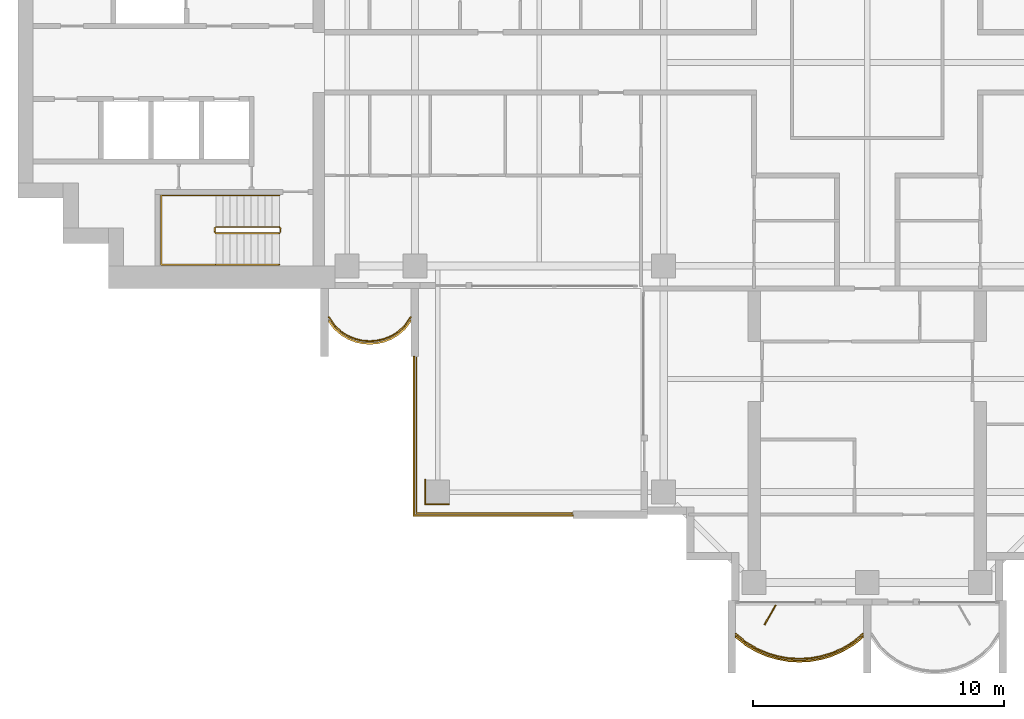
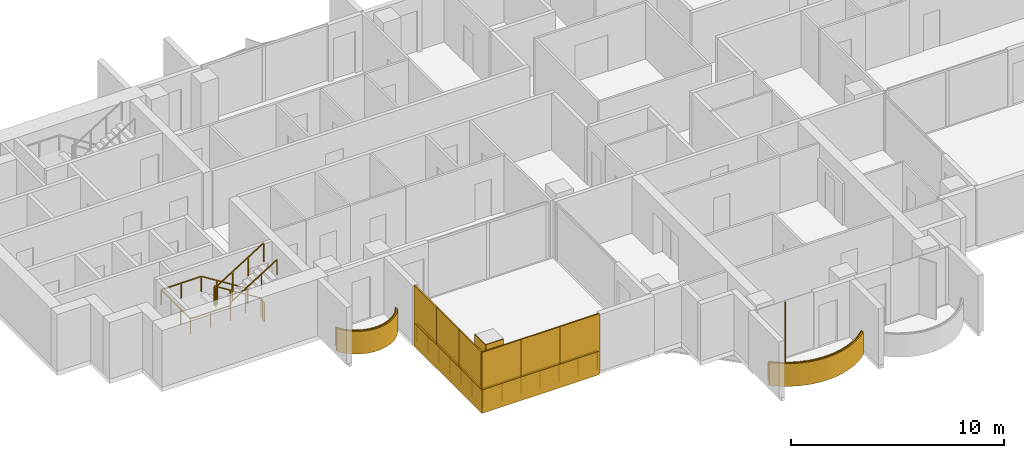
# One storey, part 14 of 17: 11 coverings, 5 railings, 1 shading device.
"""IFC4 building model written with IfcOpenShell, lengths in metres."""

from ifc_helpers import new_model, si_unit, direction, frame, origin, origin_2d, place, context, subcontext, project, spatial, polyline, rectangle, outline, extrude, material, layer, layer_set, type_object, element, save


model = new_model("IFC4")

# Units and contexts
model_context = context("Model", 3, precision=1e-05, world=origin(), true_north=direction((0.0, 1.0)))
body_context = subcontext(model_context, "Body", "Model", "MODEL_VIEW")
ifc_project = project(units=[si_unit("LENGTHUNIT", "METRE"), si_unit("AREAUNIT", "SQUARE_METRE"), si_unit("VOLUMEUNIT", "CUBIC_METRE"), si_unit("PLANEANGLEUNIT", "RADIAN"), si_unit("MASSUNIT", "GRAM", prefix="KILO")], contexts=[model_context])

# Site, building, storey
site_placement = place(None, origin())
site = spatial("IfcSite", under=ifc_project, at=site_placement, CompositionType="ELEMENT")
building_placement = place(site_placement, origin())
building = spatial("IfcBuilding", under=site, at=building_placement, Name="Perihelion Cross Residences", CompositionType="ELEMENT")
storey_placement = place(building_placement, frame((0.0, 0.0, 194.60009765625)))
storey = spatial("IfcBuildingStorey", under=building, at=storey_placement, Name="L48", CompositionType="ELEMENT", Elevation=194.60009765625)

# Coverings
ifc_material_1 = material(Name="Bronze anodised aluminium", Category="aluminium")
ifc_layer_1 = layer(ifc_material_1, 0.070068359375)
ifc_layer_set_1 = layer_set([ifc_layer_1], Name="Balcony fascia 1300")
covering_type_1 = type_object("IfcCoveringType", Name="Balcony fascia 1300", PredefinedType="CLADDING", material=ifc_layer_set_1)
covering_1_placement = place(storey_placement, frame((0.0, 0.0, -0.2001953125)))
element("IfcCovering", 1, at=covering_1_placement, inside=storey, type_object=covering_type_1, Name="Fascia BF1 L48 west side south bay 1", PredefinedType="CLADDING", context=body_context, shape_type="SweptSolid", body=[
    extrude(outline(polyline([(-21.226318359375, -10.616455078125), (-20.94091796875, -10.86328125), (-20.655517578125, -11.031494140625), (-20.370361328125, -11.142578125), (-20.085205078125, -11.206298828125), (-19.800048828125, -11.22705078125), (-19.514892578125, -11.206298828125), (-19.229736328125, -11.142578125), (-18.9443359375, -11.031494140625), (-18.6591796875, -10.86328125), (-18.373779296875, -10.616455078125), (-18.14990234375, -10.31689453125), (-18.14990234375, -10.199951171875), (-18.425048828125, -10.568603515625), (-18.699951171875, -10.806396484375), (-18.97509765625, -10.96875), (-19.25, -11.07568359375), (-19.52490234375, -11.136962890625), (-19.800048828125, -11.156982421875), (-20.074951171875, -11.136962890625), (-20.35009765625, -11.07568359375), (-20.625, -10.96875), (-20.89990234375, -10.806396484375), (-21.175048828125, -10.568603515625), (-21.449951171875, -10.199951171875), (-21.449951171875, -10.31689453125), (-21.226318359375, -10.616455078125)])), origin(), (0.0, 0.0, 1.0), 1.300048828125),
])
covering_2_placement = place(storey_placement, frame((0.0, 0.0, -0.2001953125)))
element("IfcCovering", 2, at=covering_2_placement, inside=storey, type_object=covering_type_1, Name="Fascia BF1 L48 south tip south bay 1", PredefinedType="CLADDING", context=body_context, shape_type="SweptSolid", body=[
    extrude(outline(polyline([(-4.86474609375, -23.197509765625), (-4.431884765625, -23.455078125), (-3.998779296875, -23.642578125), (-3.56591796875, -23.7705078125), (-3.133056640625, -23.845458984375), (-2.699951171875, -23.8701171875), (-2.26708984375, -23.845458984375), (-1.833984375, -23.7705078125), (-1.401123046875, -23.642578125), (-0.96826171875, -23.455078125), (-0.53515625, -23.197509765625), (-0.14990234375, -22.8896484375), (-0.14990234375, -22.800048828125), (-0.574951171875, -23.14013671875), (-1.0, -23.392578125), (-1.425048828125, -23.57666015625), (-1.85009765625, -23.702392578125), (-2.27490234375, -23.77587890625), (-2.699951171875, -23.800048828125), (-3.125, -23.77587890625), (-3.550048828125, -23.702392578125), (-3.97509765625, -23.57666015625), (-4.39990234375, -23.392578125), (-4.824951171875, -23.14013671875), (-5.25, -22.800048828125), (-5.25, -22.8896484375), (-4.86474609375, -23.197509765625)])), origin(), (0.0, 0.0, 1.0), 1.300048828125),
])

# Railings
ifc_material_2 = material(Name="Bronze anodised aluminium", Category="aluminium")
railing_type_1 = type_object("IfcRailingType", Name="Balcony guard 1100", PredefinedType="GUARDRAIL", material=ifc_material_2)
railing_1_placement = place(storey_placement, frame((-21.425048828125, -10.139892578125, 0.0)))
element("IfcRailing", 3, at=railing_1_placement, inside=storey, type_object=railing_type_1, Name="Guard GU1 L48 west side south bay 1 balcony", PredefinedType="GUARDRAIL", context=body_context, shape_type="SweptSolid", body=[
    extrude(rectangle(XDim=0.048095703125, YDim=0.048095703125, at=origin_2d()), frame((0.0, 0.0, 1.076171875), z_axis=(0.561260132269, -0.827639452857, 0.0), x_axis=(0.827639452857, 0.561260132269, 0.0)), (0.0, 0.0, 1.0), 0.4453125),
    extrude(rectangle(XDim=0.048095703125, YDim=0.048095703125, at=origin_2d()), frame((0.25, -0.36865234375, 1.076171875), z_axis=(0.756596535164, -0.653882009982, 0.0), x_axis=(0.653882009982, 0.756596535164, 0.0)), (0.0, 0.0, 1.0), 0.36376953125),
    extrude(rectangle(XDim=0.048095703125, YDim=0.048095703125, at=origin_2d()), frame((0.525146484375, -0.6064453125, 1.076171875), z_axis=(0.861048292884, -0.508523192511, 0.0), x_axis=(0.508523192511, 0.861048292884, 0.0)), (0.0, 0.0, 1.0), 0.3193359375),
    extrude(rectangle(XDim=0.048095703125, YDim=0.048095703125, at=origin_2d()), frame((0.800048828125, -0.768798828125, 1.076171875), z_axis=(0.931973602183, -0.362526143656, 0.0), x_axis=(0.362526143656, 0.931973602183, 0.0)), (0.0, 0.0, 1.0), 0.294921875),
    extrude(rectangle(XDim=0.048095703125, YDim=0.048095703125, at=origin_2d()), frame((1.074951171875, -0.875732421875, 1.076171875), z_axis=(0.976085059389, -0.21738895289, 0.0), x_axis=(0.21738895289, 0.976085059389, 0.0)), (0.0, 0.0, 1.0), 0.281982421875),
    extrude(rectangle(XDim=0.048095703125, YDim=0.048095703125, at=origin_2d()), frame((1.35009765625, -0.93701171875, 1.076171875), z_axis=(0.997358821833, -0.072631814734, 0.0), x_axis=(0.072631814734, 0.997358821833, 0.0)), (0.0, 0.0, 1.0), 0.275634765625),
    extrude(rectangle(XDim=0.048095703125, YDim=0.048095703125, at=origin_2d()), frame((1.625, -0.95703125, 1.076171875), z_axis=(0.997363488337, 0.072567707226, 0.0), x_axis=(-0.072567707226, 0.997363488337, 0.0)), (0.0, 0.0, 1.0), 0.27587890625),
    extrude(rectangle(XDim=0.048095703125, YDim=0.048095703125, at=origin_2d()), frame((1.900146484375, -0.93701171875, 1.076171875), z_axis=(0.976044077717, 0.217572880557, 0.0), x_axis=(-0.217572880557, 0.976044077717, 0.0)), (0.0, 0.0, 1.0), 0.28173828125),
    extrude(rectangle(XDim=0.048095703125, YDim=0.048095703125, at=origin_2d()), frame((2.175048828125, -0.875732421875, 1.076171875), z_axis=(0.931973602183, 0.362526143656, 0.0), x_axis=(-0.362526143656, 0.931973602183, 0.0)), (0.0, 0.0, 1.0), 0.294921875),
    extrude(rectangle(XDim=0.048095703125, YDim=0.048095703125, at=origin_2d()), frame((2.449951171875, -0.768798828125, 1.076171875), z_axis=(0.861245845072, 0.508188542123, 0.0), x_axis=(-0.508188542123, 0.861245845072, 0.0)), (0.0, 0.0, 1.0), 0.319580078125),
    extrude(rectangle(XDim=0.048095703125, YDim=0.048095703125, at=origin_2d()), frame((2.72509765625, -0.6064453125, 1.076171875), z_axis=(0.756309278473, 0.654214242658, 0.0), x_axis=(-0.654214242658, 0.756309278473, 0.0)), (0.0, 0.0, 1.0), 0.363525390625),
    extrude(rectangle(XDim=0.048095703125, YDim=0.048095703125, at=origin_2d()), frame((3.0, -0.36865234375, 1.076171875), z_axis=(0.561260132269, 0.827639452857, 0.0), x_axis=(-0.827639452857, 0.561260132269, 0.0)), (0.0, 0.0, 1.0), 0.4453125),
    extrude(rectangle(XDim=0.0419921875, YDim=0.0419921875, at=origin_2d()), origin(), (0.0, 0.0, 1.0), 1.052001953125),
    extrude(rectangle(XDim=0.0419921875, YDim=0.0419921875, at=origin_2d()), frame((0.25, -0.36865234375, 0.0)), (0.0, 0.0, 1.0), 1.052001953125),
    extrude(rectangle(XDim=0.0419921875, YDim=0.0419921875, at=origin_2d()), frame((0.525146484375, -0.6064453125, 0.0)), (0.0, 0.0, 1.0), 1.052001953125),
    extrude(rectangle(XDim=0.0419921875, YDim=0.0419921875, at=origin_2d()), frame((0.800048828125, -0.768798828125, 0.0)), (0.0, 0.0, 1.0), 1.052001953125),
    extrude(rectangle(XDim=0.0419921875, YDim=0.0419921875, at=origin_2d()), frame((1.074951171875, -0.875732421875, 0.0)), (0.0, 0.0, 1.0), 1.052001953125),
    extrude(rectangle(XDim=0.0419921875, YDim=0.0419921875, at=origin_2d()), frame((1.35009765625, -0.93701171875, 0.0)), (0.0, 0.0, 1.0), 1.052001953125),
    extrude(rectangle(XDim=0.0419921875, YDim=0.0419921875, at=origin_2d()), frame((1.625, -0.95703125, 0.0)), (0.0, 0.0, 1.0), 1.052001953125),
    extrude(rectangle(XDim=0.0419921875, YDim=0.0419921875, at=origin_2d()), frame((1.900146484375, -0.93701171875, 0.0)), (0.0, 0.0, 1.0), 1.052001953125),
    extrude(rectangle(XDim=0.0419921875, YDim=0.0419921875, at=origin_2d()), frame((2.175048828125, -0.875732421875, 0.0)), (0.0, 0.0, 1.0), 1.052001953125),
    extrude(rectangle(XDim=0.0419921875, YDim=0.0419921875, at=origin_2d()), frame((2.449951171875, -0.768798828125, 0.0)), (0.0, 0.0, 1.0), 1.052001953125),
    extrude(rectangle(XDim=0.0419921875, YDim=0.0419921875, at=origin_2d()), frame((2.72509765625, -0.6064453125, 0.0)), (0.0, 0.0, 1.0), 1.052001953125),
    extrude(rectangle(XDim=0.0419921875, YDim=0.0419921875, at=origin_2d()), frame((3.0, -0.36865234375, 0.0)), (0.0, 0.0, 1.0), 1.052001953125),
    extrude(rectangle(XDim=0.0419921875, YDim=0.0419921875, at=origin_2d()), frame((3.25, 0.0, 0.0)), (0.0, 0.0, 1.0), 1.052001953125),
])
railing_2_placement = place(storey_placement, frame((-5.22509765625, -22.739990234375, 0.0)))
element("IfcRailing", 4, at=railing_2_placement, inside=storey, type_object=railing_type_1, Name="Guard GU1 L48 south tip south bay 1 balcony", PredefinedType="GUARDRAIL", context=body_context, shape_type="SweptSolid", body=[
    extrude(rectangle(XDim=0.048095703125, YDim=0.048095703125, at=origin_2d()), frame((0.0, 0.0, 1.076171875), z_axis=(0.761973728849, -0.647607934281, 0.0), x_axis=(0.647607934281, 0.761973728849, 0.0)), (0.0, 0.0, 1.0), 0.525146484375),
    extrude(rectangle(XDim=0.048095703125, YDim=0.048095703125, at=origin_2d()), frame((0.400146484375, -0.340087890625, 1.076171875), z_axis=(0.859576918062, -0.511006381501, 0.0), x_axis=(0.511006381501, 0.859576918062, 0.0)), (0.0, 0.0, 1.0), 0.494384765625),
    extrude(rectangle(XDim=0.048095703125, YDim=0.048095703125, at=origin_2d()), frame((0.8251953125, -0.5927734375, 1.076171875), z_axis=(0.917747942671, -0.397163333811, 0.0), x_axis=(0.397163333811, 0.917747942671, 0.0)), (0.0, 0.0, 1.0), 0.462890625),
    extrude(rectangle(XDim=0.048095703125, YDim=0.048095703125, at=origin_2d()), frame((1.25, -0.776611328125, 1.076171875), z_axis=(0.958925815697, -0.283656975924, 0.0), x_axis=(0.283656975924, 0.958925815697, 0.0)), (0.0, 0.0, 1.0), 0.443359375),
    extrude(rectangle(XDim=0.048095703125, YDim=0.048095703125, at=origin_2d()), frame((1.675048828125, -0.90234375, 1.076171875), z_axis=(0.985381583142, -0.17036177859, 0.0), x_axis=(0.17036177859, 0.985381583142, 0.0)), (0.0, 0.0, 1.0), 0.431396484375),
    extrude(rectangle(XDim=0.048095703125, YDim=0.048095703125, at=origin_2d()), frame((2.10009765625, -0.975830078125, 1.076171875), z_axis=(0.998387160354, -0.056772159032, 0.0), x_axis=(0.056772159032, 0.998387160354, 0.0)), (0.0, 0.0, 1.0), 0.42578125),
    extrude(rectangle(XDim=0.048095703125, YDim=0.048095703125, at=origin_2d()), frame((2.525146484375, -1.0, 1.076171875), z_axis=(0.998387160354, 0.056772159032, 0.0), x_axis=(-0.056772159032, 0.998387160354, 0.0)), (0.0, 0.0, 1.0), 0.42578125),
    extrude(rectangle(XDim=0.048095703125, YDim=0.048095703125, at=origin_2d()), frame((2.9501953125, -0.975830078125, 1.076171875), z_axis=(0.985365142702, 0.170456843651, 0.0), x_axis=(-0.170456843651, 0.985365142702, 0.0)), (0.0, 0.0, 1.0), 0.43115234375),
    extrude(rectangle(XDim=0.048095703125, YDim=0.048095703125, at=origin_2d()), frame((3.375, -0.90234375, 1.076171875), z_axis=(0.958925815697, 0.283656975924, 0.0), x_axis=(-0.283656975924, 0.958925815697, 0.0)), (0.0, 0.0, 1.0), 0.443359375),
    extrude(rectangle(XDim=0.048095703125, YDim=0.048095703125, at=origin_2d()), frame((3.800048828125, -0.776611328125, 1.076171875), z_axis=(0.917831080218, 0.396971167952, 0.0), x_axis=(-0.396971167952, 0.917831080218, 0.0)), (0.0, 0.0, 1.0), 0.463134765625),
    extrude(rectangle(XDim=0.048095703125, YDim=0.048095703125, at=origin_2d()), frame((4.22509765625, -0.5927734375, 1.076171875), z_axis=(0.859576918062, 0.511006381501, 0.0), x_axis=(-0.511006381501, 0.859576918062, 0.0)), (0.0, 0.0, 1.0), 0.494384765625),
    extrude(rectangle(XDim=0.048095703125, YDim=0.048095703125, at=origin_2d()), frame((4.650146484375, -0.340087890625, 1.076171875), z_axis=(0.761778647315, 0.647837396648, 0.0), x_axis=(-0.647837396648, 0.761778647315, 0.0)), (0.0, 0.0, 1.0), 0.52490234375),
    extrude(rectangle(XDim=0.0419921875, YDim=0.0419921875, at=origin_2d()), origin(), (0.0, 0.0, 1.0), 1.052001953125),
    extrude(rectangle(XDim=0.0419921875, YDim=0.0419921875, at=origin_2d()), frame((0.400146484375, -0.340087890625, 0.0)), (0.0, 0.0, 1.0), 1.052001953125),
    extrude(rectangle(XDim=0.0419921875, YDim=0.0419921875, at=origin_2d()), frame((0.8251953125, -0.5927734375, 0.0)), (0.0, 0.0, 1.0), 1.052001953125),
    extrude(rectangle(XDim=0.0419921875, YDim=0.0419921875, at=origin_2d()), frame((1.25, -0.776611328125, 0.0)), (0.0, 0.0, 1.0), 1.052001953125),
    extrude(rectangle(XDim=0.0419921875, YDim=0.0419921875, at=origin_2d()), frame((1.675048828125, -0.90234375, 0.0)), (0.0, 0.0, 1.0), 1.052001953125),
    extrude(rectangle(XDim=0.0419921875, YDim=0.0419921875, at=origin_2d()), frame((2.10009765625, -0.975830078125, 0.0)), (0.0, 0.0, 1.0), 1.052001953125),
    extrude(rectangle(XDim=0.0419921875, YDim=0.0419921875, at=origin_2d()), frame((2.525146484375, -1.0, 0.0)), (0.0, 0.0, 1.0), 1.052001953125),
    extrude(rectangle(XDim=0.0419921875, YDim=0.0419921875, at=origin_2d()), frame((2.9501953125, -0.975830078125, 0.0)), (0.0, 0.0, 1.0), 1.052001953125),
    extrude(rectangle(XDim=0.0419921875, YDim=0.0419921875, at=origin_2d()), frame((3.375, -0.90234375, 0.0)), (0.0, 0.0, 1.0), 1.052001953125),
    extrude(rectangle(XDim=0.0419921875, YDim=0.0419921875, at=origin_2d()), frame((3.800048828125, -0.776611328125, 0.0)), (0.0, 0.0, 1.0), 1.052001953125),
    extrude(rectangle(XDim=0.0419921875, YDim=0.0419921875, at=origin_2d()), frame((4.22509765625, -0.5927734375, 0.0)), (0.0, 0.0, 1.0), 1.052001953125),
    extrude(rectangle(XDim=0.0419921875, YDim=0.0419921875, at=origin_2d()), frame((4.650146484375, -0.340087890625, 0.0)), (0.0, 0.0, 1.0), 1.052001953125),
    extrude(rectangle(XDim=0.0419921875, YDim=0.0419921875, at=origin_2d()), frame((5.050048828125, 0.0, 0.0)), (0.0, 0.0, 1.0), 1.052001953125),
])
railing_3_placement = place(storey_placement, frame((-11.739990234375, -17.93994140625, 0.0)))
element("IfcRailing", 5, at=railing_3_placement, inside=storey, type_object=railing_type_1, Name="Guard GU1 L48 pocket south-west 1", PredefinedType="GUARDRAIL", context=body_context, shape_type="SweptSolid", body=[
    extrude(rectangle(XDim=0.048095703125, YDim=0.048095703125, at=origin_2d()), frame((0.0, 0.0, 1.076171875), z_axis=(-1.0, 0.0, 0.0), x_axis=(0.0, -1.0, 0.0)), (0.0, 0.0, 1.0), 6.199951171875),
    extrude(rectangle(XDim=0.048095703125, YDim=0.048095703125, at=origin_2d()), frame((-6.199951171875, 0.0, 1.076171875), z_axis=(0.0, 1.0, 0.0), x_axis=(-1.0, 0.0, 0.0)), (0.0, 0.0, 1.0), 6.199951171875),
    extrude(rectangle(XDim=0.0419921875, YDim=0.0419921875, at=origin_2d()), origin(), (0.0, 0.0, 1.0), 1.052001953125),
    extrude(rectangle(XDim=0.0419921875, YDim=0.0419921875, at=origin_2d()), frame((-1.033203125, 0.0, 0.0)), (0.0, 0.0, 1.0), 1.052001953125),
    extrude(rectangle(XDim=0.0419921875, YDim=0.0419921875, at=origin_2d()), frame((-2.066650390625, 0.0, 0.0)), (0.0, 0.0, 1.0), 1.052001953125),
    extrude(rectangle(XDim=0.0419921875, YDim=0.0419921875, at=origin_2d()), frame((-3.10009765625, 0.0, 0.0)), (0.0, 0.0, 1.0), 1.052001953125),
    extrude(rectangle(XDim=0.0419921875, YDim=0.0419921875, at=origin_2d()), frame((-4.13330078125, 0.0, 0.0)), (0.0, 0.0, 1.0), 1.052001953125),
    extrude(rectangle(XDim=0.0419921875, YDim=0.0419921875, at=origin_2d()), frame((-5.16650390625, 0.0, 0.0)), (0.0, 0.0, 1.0), 1.052001953125),
    extrude(rectangle(XDim=0.0419921875, YDim=0.0419921875, at=origin_2d()), frame((-6.199951171875, 0.0, 0.0)), (0.0, 0.0, 1.0), 1.052001953125),
    extrude(rectangle(XDim=0.0419921875, YDim=0.0419921875, at=origin_2d()), frame((-6.199951171875, 1.033203125, 0.0)), (0.0, 0.0, 1.0), 1.052001953125),
    extrude(rectangle(XDim=0.0419921875, YDim=0.0419921875, at=origin_2d()), frame((-6.199951171875, 2.066650390625, 0.0)), (0.0, 0.0, 1.0), 1.052001953125),
    extrude(rectangle(XDim=0.0419921875, YDim=0.0419921875, at=origin_2d()), frame((-6.199951171875, 3.10009765625, 0.0)), (0.0, 0.0, 1.0), 1.052001953125),
    extrude(rectangle(XDim=0.0419921875, YDim=0.0419921875, at=origin_2d()), frame((-6.199951171875, 4.13330078125, 0.0)), (0.0, 0.0, 1.0), 1.052001953125),
    extrude(rectangle(XDim=0.0419921875, YDim=0.0419921875, at=origin_2d()), frame((-6.199951171875, 5.16650390625, 0.0)), (0.0, 0.0, 1.0), 1.052001953125),
    extrude(rectangle(XDim=0.0419921875, YDim=0.0419921875, at=origin_2d()), frame((-6.199951171875, 6.199951171875, 0.0)), (0.0, 0.0, 1.0), 1.052001953125),
])

# Coverings
ifc_material_3 = material(Name="Bronze anodised aluminium", Category="aluminium")
ifc_layer_2 = layer(ifc_material_3, 0.0400390625)
ifc_layer_set_2 = layer_set([ifc_layer_2], Name="Bronze column casing 40")
covering_type_2 = type_object("IfcCoveringType", Name="Bronze column casing 40", PredefinedType="CLADDING", material=ifc_layer_set_2)
covering_3_placement = place(storey_placement, frame((-17.594970703125, -17.10009765625, -0.25), z_axis=(0.0, 0.0, 1.0), x_axis=(1.0, 0.0, 0.0)))
element("IfcCovering", 6, at=covering_3_placement, inside=storey, type_object=covering_type_2, Name="Cladding CC1 L48 casing east-west no. 1", PredefinedType="CLADDING", context=body_context, shape_type="SweptSolid", body=[
    extrude(rectangle(XDim=0.0400390625, YDim=1.030029296875, at=origin_2d()), origin(), (0.0, 0.0, 1.0), 3.5),
])
covering_4_placement = place(storey_placement, frame((-17.10009765625, -17.594970703125, -0.25), z_axis=(0.0, 0.0, 1.0), x_axis=(1.0, 0.0, 0.0)))
element("IfcCovering", 7, at=covering_4_placement, inside=storey, type_object=covering_type_2, Name="Cladding CC1 L48 casing north-south no. 1", PredefinedType="CLADDING", context=body_context, shape_type="SweptSolid", body=[
    extrude(rectangle(XDim=0.949951171875, YDim=0.0400390625, at=origin_2d()), origin(), (0.0, 0.0, 1.0), 3.5),
])

# Shading device
ifc_material_4 = material(Name="Bronze anodised aluminium", Category="aluminium")
ifc_layer_3 = layer(ifc_material_4, 0.050048828125)
ifc_layer_set_3 = layer_set([ifc_layer_3], Name="Bronze fin 900")
shading_device_type = type_object("IfcShadingDeviceType", Name="Bronze fin 900", PredefinedType="USERDEFINED", material=ifc_layer_set_3)
shading_device_placement = place(storey_placement, frame((-3.862548828125, -21.98974609375, 0.0), z_axis=(0.0, 0.0, 1.0), x_axis=(-0.5, -0.866025403784, 0.0)))
element("IfcShadingDevice", 8, at=shading_device_placement, inside=storey, type_object=shading_device_type, Name="Fin FN1 L48 south tip south bay 1", ObjectType="FIN", PredefinedType="USERDEFINED", context=body_context, shape_type="SweptSolid", body=[
    extrude(rectangle(XDim=0.89990234375, YDim=0.050048828125, at=origin_2d()), origin(), (0.0, 0.0, 1.0), 3.25),
])

# Coverings
ifc_material_5 = material(Name="Bronze anodised aluminium", Category="aluminium")
ifc_layer_4 = layer(ifc_material_5, 0.070068359375)
ifc_layer_set_4 = layer_set([ifc_layer_4], Name="Pocket fascia 1350")
covering_type_3 = type_object("IfcCoveringType", Name="Pocket fascia 1350", PredefinedType="CLADDING", material=ifc_layer_set_4)
covering_5_placement = place(storey_placement, frame((0.0, 0.0, -0.25)))
element("IfcCovering", 9, at=covering_5_placement, inside=storey, type_object=covering_type_3, Name="Fascia BF2 L48 pocket south-west 1", PredefinedType="CLADDING", context=body_context, shape_type="SweptSolid", body=[
    extrude(outline(polyline([(-18.070068359375, -11.699951171875), (-18.070068359375, -18.070068359375), (-11.699951171875, -18.070068359375), (-11.699951171875, -18.0), (-18.0, -18.0), (-18.0, -11.699951171875), (-18.070068359375, -11.699951171875)])), origin(), (0.0, 0.0, 1.0), 1.349853515625),
])
ifc_material_6 = material(Name="Bronze perforated aluminium", Category="aluminium")
ifc_layer_5 = layer(ifc_material_6, 0.070068359375)
ifc_layer_set_5 = layer_set([ifc_layer_5], Name="Pocket solar screen, bronze perforated")
covering_type_4 = type_object("IfcCoveringType", Name="Pocket solar screen, bronze perforated", PredefinedType="CLADDING", material=ifc_layer_set_5)
covering_6_placement = place(storey_placement, frame((0.0, 0.0, 1.099853515625)))
element("IfcCovering", 10, at=covering_6_placement, inside=storey, type_object=covering_type_4, Name="Solar screen PS1 L48 pocket south-west no. 1", PredefinedType="CLADDING", context=body_context, shape_type="SweptSolid", body=[
    extrude(outline(polyline([(-18.0, -18.0), (-18.0, -15.89990234375), (-18.070068359375, -15.89990234375), (-18.070068359375, -18.0), (-18.0, -18.0)])), origin(), (0.0, 0.0, 1.0), 2.150146484375),
])
covering_7_placement = place(storey_placement, frame((0.0, 0.0, 1.099853515625)))
element("IfcCovering", 11, at=covering_7_placement, inside=storey, type_object=covering_type_4, Name="Solar screen PS1 L48 pocket south-west no. 2", PredefinedType="CLADDING", context=body_context, shape_type="SweptSolid", body=[
    extrude(outline(polyline([(-18.0, -15.89990234375), (-18.0, -13.800048828125), (-18.070068359375, -13.800048828125), (-18.070068359375, -15.89990234375), (-18.0, -15.89990234375)])), origin(), (0.0, 0.0, 1.0), 2.150146484375),
])
covering_8_placement = place(storey_placement, frame((0.0, 0.0, 1.099853515625)))
element("IfcCovering", 12, at=covering_8_placement, inside=storey, type_object=covering_type_4, Name="Solar screen PS1 L48 pocket south-west no. 3", PredefinedType="CLADDING", context=body_context, shape_type="SweptSolid", body=[
    extrude(outline(polyline([(-18.0, -13.800048828125), (-18.0, -11.699951171875), (-18.070068359375, -11.699951171875), (-18.070068359375, -13.800048828125), (-18.0, -13.800048828125)])), origin(), (0.0, 0.0, 1.0), 2.150146484375),
])
covering_9_placement = place(storey_placement, frame((0.0, 0.0, 1.099853515625)))
element("IfcCovering", 13, at=covering_9_placement, inside=storey, type_object=covering_type_4, Name="Solar screen PS1 L48 pocket south-west no. 4", PredefinedType="CLADDING", context=body_context, shape_type="SweptSolid", body=[
    extrude(outline(polyline([(-15.94677734375, -18.070068359375), (-15.94677734375, -18.0), (-18.070068359375, -18.0), (-18.070068359375, -18.070068359375), (-15.94677734375, -18.070068359375)])), origin(), (0.0, 0.0, 1.0), 2.150146484375),
])
covering_10_placement = place(storey_placement, frame((0.0, 0.0, 1.099853515625)))
element("IfcCovering", 14, at=covering_10_placement, inside=storey, type_object=covering_type_4, Name="Solar screen PS1 L48 pocket south-west no. 5", PredefinedType="CLADDING", context=body_context, shape_type="SweptSolid", body=[
    extrude(outline(polyline([(-13.8232421875, -18.070068359375), (-13.8232421875, -18.0), (-15.94677734375, -18.0), (-15.94677734375, -18.070068359375), (-13.8232421875, -18.070068359375)])), origin(), (0.0, 0.0, 1.0), 2.150146484375),
])
covering_11_placement = place(storey_placement, frame((0.0, 0.0, 1.099853515625)))
element("IfcCovering", 15, at=covering_11_placement, inside=storey, type_object=covering_type_4, Name="Solar screen PS1 L48 pocket south-west no. 6", PredefinedType="CLADDING", context=body_context, shape_type="SweptSolid", body=[
    extrude(outline(polyline([(-11.699951171875, -18.070068359375), (-11.699951171875, -18.0), (-13.8232421875, -18.0), (-13.8232421875, -18.070068359375), (-11.699951171875, -18.070068359375)])), origin(), (0.0, 0.0, 1.0), 2.150146484375),
])

# Railings
ifc_material_7 = material(Name="Stainless steel", Category="steel")
railing_type_2 = type_object("IfcRailingType", Name="Stair guard 1100", PredefinedType="GUARDRAIL", material=ifc_material_7)
railing_4_placement = place(storey_placement, frame((-23.35009765625, -6.75, 0.0)))
element("IfcRailing", 16, at=railing_4_placement, inside=storey, type_object=railing_type_2, Name="L48 ST-W2 stair guard 1", PredefinedType="GUARDRAIL", context=body_context, shape_type="SweptSolid", body=[
    extrude(rectangle(XDim=0.048095703125, YDim=0.048095703125, at=origin_2d()), frame((0.0, 0.0, 1.076171875), z_axis=(0.0, 1.0, 0.0), x_axis=(-1.0, 0.0, 0.0)), (0.0, 0.0, 1.0), 0.14990234375),
    extrude(rectangle(XDim=0.048095703125, YDim=0.048095703125, at=origin_2d()), frame((0.0, 0.14990234375, 1.076171875), z_axis=(-0.264179342666, 0.265474339444, 0.927217692888), x_axis=(-0.708833529934, -0.705375805398, 0.0)), (0.0, 0.0, 1.0), 0.1884765625),
    extrude(rectangle(XDim=0.048095703125, YDim=0.048095703125, at=origin_2d()), frame((-0.0498046875, 0.199951171875, 1.2509765625), z_axis=(-0.847970611238, 0.0, 0.530043245855), x_axis=(0.0, -1.0, 0.0)), (0.0, 0.0, 1.0), 2.971923828125),
    extrude(rectangle(XDim=0.048095703125, YDim=0.048095703125, at=origin_2d()), frame((-2.56982421875, 0.199951171875, 2.826171875), z_axis=(-0.707106781187, -0.707106781187, 0.0), x_axis=(0.707106781187, -0.707106781187, 0.0)), (0.0, 0.0, 1.0), 0.07080078125),
    extrude(rectangle(XDim=0.048095703125, YDim=0.048095703125, at=origin_2d()), frame((-2.619873046875, 0.14990234375, 2.826171875), z_axis=(0.0, -1.0, 0.0), x_axis=(1.0, 0.0, 0.0)), (0.0, 0.0, 1.0), 0.14990234375),
    extrude(rectangle(XDim=0.048095703125, YDim=0.048095703125, at=origin_2d()), frame((-2.619873046875, 0.0, 2.826171875), z_axis=(0.265383341853, -0.265383341853, 0.926899867156), x_axis=(0.707106781187, 0.707106781187, 0.0)), (0.0, 0.0, 1.0), 0.1884765625),
    extrude(rectangle(XDim=0.048095703125, YDim=0.048095703125, at=origin_2d()), frame((-2.56982421875, -0.050048828125, 3.0009765625), z_axis=(0.847970611238, 0.0, 0.530043245855), x_axis=(0.0, 1.0, 0.0)), (0.0, 0.0, 1.0), 2.971923828125),
    extrude(rectangle(XDim=0.0419921875, YDim=0.0419921875, at=origin_2d()), origin(), (0.0, 0.0, 1.0), 1.052001953125),
    extrude(rectangle(XDim=0.0419921875, YDim=0.0419921875, at=origin_2d()), frame((0.0, 0.14990234375, 0.0)), (0.0, 0.0, 1.0), 1.052001953125),
    extrude(rectangle(XDim=0.0419921875, YDim=0.0419921875, at=origin_2d()), frame((-0.0498046875, 0.199951171875, 0.1748046875)), (0.0, 0.0, 1.0), 1.052001953125),
    extrude(rectangle(XDim=0.0419921875, YDim=0.0419921875, at=origin_2d()), frame((-0.889892578125, 0.199951171875, 0.699951171875)), (0.0, 0.0, 1.0), 1.052001953125),
    extrude(rectangle(XDim=0.0419921875, YDim=0.0419921875, at=origin_2d()), frame((-1.729736328125, 0.199951171875, 1.224853515625)), (0.0, 0.0, 1.0), 1.052001953125),
    extrude(rectangle(XDim=0.0419921875, YDim=0.0419921875, at=origin_2d()), frame((-2.56982421875, 0.199951171875, 1.75)), (0.0, 0.0, 1.0), 1.052001953125),
    extrude(rectangle(XDim=0.0419921875, YDim=0.0419921875, at=origin_2d()), frame((-2.619873046875, 0.14990234375, 1.75)), (0.0, 0.0, 1.0), 1.052001953125),
    extrude(rectangle(XDim=0.0419921875, YDim=0.0419921875, at=origin_2d()), frame((-2.619873046875, 0.0, 1.75)), (0.0, 0.0, 1.0), 1.052001953125),
    extrude(rectangle(XDim=0.0419921875, YDim=0.0419921875, at=origin_2d()), frame((-2.56982421875, -0.050048828125, 1.9248046875)), (0.0, 0.0, 1.0), 1.052001953125),
    extrude(rectangle(XDim=0.0419921875, YDim=0.0419921875, at=origin_2d()), frame((-1.729736328125, -0.050048828125, 2.449951171875)), (0.0, 0.0, 1.0), 1.052001953125),
    extrude(rectangle(XDim=0.0419921875, YDim=0.0419921875, at=origin_2d()), frame((-0.889892578125, -0.050048828125, 2.974853515625)), (0.0, 0.0, 1.0), 1.052001953125),
    extrude(rectangle(XDim=0.0419921875, YDim=0.0419921875, at=origin_2d()), frame((-0.0498046875, -0.050048828125, 3.5)), (0.0, 0.0, 1.0), 1.052001953125),
])
ifc_material_8 = material(Name="Stainless steel", Category="steel")
railing_type_3 = type_object("IfcRailingType", Name="Stair handrail 900", PredefinedType="HANDRAIL", material=ifc_material_8)
railing_5_placement = place(storey_placement, frame((-23.39990234375, -5.300048828125, 0.1748046875)))
element("IfcRailing", 17, at=railing_5_placement, inside=storey, type_object=railing_type_3, Name="L48 ST-W2 stair handrail 1", PredefinedType="HANDRAIL", context=body_context, shape_type="SweptSolid", body=[
    extrude(rectangle(XDim=0.048095703125, YDim=0.048095703125, at=origin_2d()), frame((0.0, 0.0, 0.8759765625), z_axis=(-0.847970611238, 0.0, 0.530043245855), x_axis=(0.0, -1.0, 0.0)), (0.0, 0.0, 1.0), 2.971923828125),
    extrude(rectangle(XDim=0.048095703125, YDim=0.048095703125, at=origin_2d()), frame((-2.52001953125, 0.0, 2.451171875), z_axis=(-1.0, 0.0, 0.0), x_axis=(0.0, -1.0, 0.0)), (0.0, 0.0, 1.0), 2.18017578125),
    extrude(rectangle(XDim=0.048095703125, YDim=0.048095703125, at=origin_2d()), frame((-4.7001953125, 0.0, 2.451171875), z_axis=(0.0, -1.0, 0.0), x_axis=(1.0, 0.0, 0.0)), (0.0, 0.0, 1.0), 2.75),
    extrude(rectangle(XDim=0.048095703125, YDim=0.048095703125, at=origin_2d()), frame((-4.7001953125, -2.75, 2.451171875), z_axis=(1.0, 0.0, 0.0), x_axis=(0.0, 1.0, 0.0)), (0.0, 0.0, 1.0), 2.18017578125),
    extrude(rectangle(XDim=0.048095703125, YDim=0.048095703125, at=origin_2d()), frame((-2.52001953125, -2.75, 2.451171875), z_axis=(0.0, 0.0, 1.0), x_axis=(1.0, 0.0, 0.0)), (0.0, 0.0, 1.0), 0.1748046875),
    extrude(rectangle(XDim=0.048095703125, YDim=0.048095703125, at=origin_2d()), frame((-2.52001953125, -2.75, 2.6259765625), z_axis=(0.847970611238, 0.0, 0.530043245855), x_axis=(0.0, 1.0, 0.0)), (0.0, 0.0, 1.0), 2.971923828125),
    extrude(rectangle(XDim=0.0419921875, YDim=0.0419921875, at=origin_2d()), origin(), (0.0, 0.0, 1.0), 0.851806640625),
    extrude(rectangle(XDim=0.0419921875, YDim=0.0419921875, at=origin_2d()), frame((-0.840087890625, 0.0, 0.525146484375)), (0.0, 0.0, 1.0), 0.851806640625),
    extrude(rectangle(XDim=0.0419921875, YDim=0.0419921875, at=origin_2d()), frame((-1.679931640625, 0.0, 1.050048828125)), (0.0, 0.0, 1.0), 0.851806640625),
    extrude(rectangle(XDim=0.0419921875, YDim=0.0419921875, at=origin_2d()), frame((-2.52001953125, 0.0, 1.5751953125)), (0.0, 0.0, 1.0), 0.851806640625),
    extrude(rectangle(XDim=0.0419921875, YDim=0.0419921875, at=origin_2d()), frame((-3.610107421875, 0.0, 1.5751953125)), (0.0, 0.0, 1.0), 0.851806640625),
    extrude(rectangle(XDim=0.0419921875, YDim=0.0419921875, at=origin_2d()), frame((-4.7001953125, 0.0, 1.5751953125)), (0.0, 0.0, 1.0), 0.851806640625),
    extrude(rectangle(XDim=0.0419921875, YDim=0.0419921875, at=origin_2d()), frame((-4.7001953125, -0.916748046875, 1.5751953125)), (0.0, 0.0, 1.0), 0.851806640625),
    extrude(rectangle(XDim=0.0419921875, YDim=0.0419921875, at=origin_2d()), frame((-4.7001953125, -1.833251953125, 1.5751953125)), (0.0, 0.0, 1.0), 0.851806640625),
    extrude(rectangle(XDim=0.0419921875, YDim=0.0419921875, at=origin_2d()), frame((-4.7001953125, -2.75, 1.5751953125)), (0.0, 0.0, 1.0), 0.851806640625),
    extrude(rectangle(XDim=0.0419921875, YDim=0.0419921875, at=origin_2d()), frame((-3.610107421875, -2.75, 1.5751953125)), (0.0, 0.0, 1.0), 0.851806640625),
    extrude(rectangle(XDim=0.0419921875, YDim=0.0419921875, at=origin_2d()), frame((-2.52001953125, -2.75, 1.5751953125)), (0.0, 0.0, 1.0), 0.851806640625),
    extrude(rectangle(XDim=0.0419921875, YDim=0.0419921875, at=origin_2d()), frame((-2.52001953125, -2.75, 1.75)), (0.0, 0.0, 1.0), 0.851806640625),
    extrude(rectangle(XDim=0.0419921875, YDim=0.0419921875, at=origin_2d()), frame((-1.679931640625, -2.75, 2.275146484375)), (0.0, 0.0, 1.0), 0.851806640625),
    extrude(rectangle(XDim=0.0419921875, YDim=0.0419921875, at=origin_2d()), frame((-0.840087890625, -2.75, 2.800048828125)), (0.0, 0.0, 1.0), 0.851806640625),
    extrude(rectangle(XDim=0.0419921875, YDim=0.0419921875, at=origin_2d()), frame((0.0, -2.75, 3.3251953125)), (0.0, 0.0, 1.0), 0.851806640625),
])

save(model, "model.ifc")
